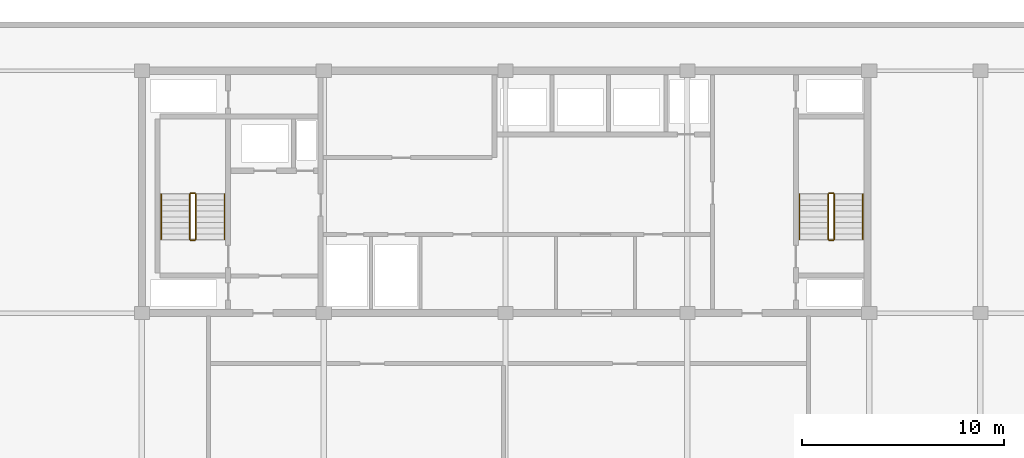
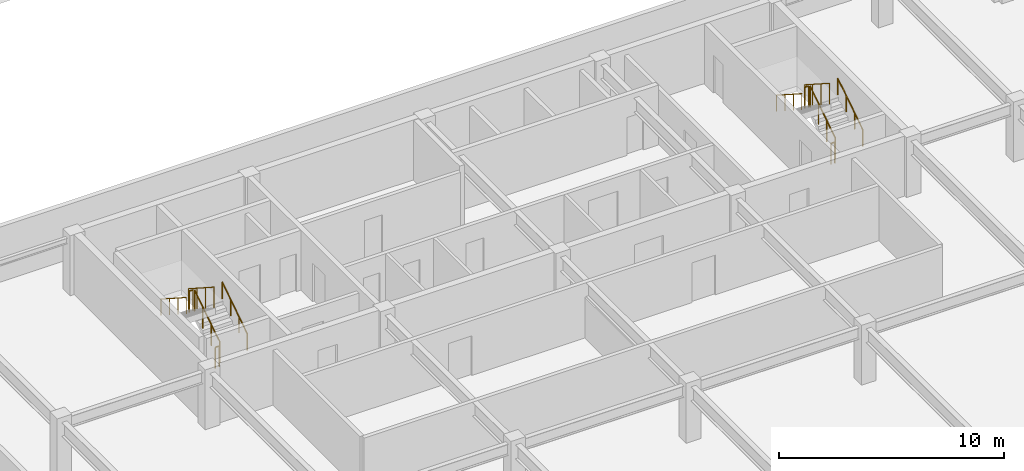
# One storey, part 15 of 17: 12 railings.
"""IFC4 building model written with IfcOpenShell, lengths in metres."""

from ifc_helpers import new_model, si_unit, direction, frame, origin, origin_2d, place, context, subcontext, project, spatial, circle, extrude, material, type_object, element, save


model = new_model("IFC4")

# Units and contexts
model_context = context("Model", 3, precision=1e-05, world=origin(), true_north=direction((0.0, 1.0)))
body_context = subcontext(model_context, "Body", "Model", "MODEL_VIEW")
ifc_project = project(units=[si_unit("LENGTHUNIT", "METRE"), si_unit("AREAUNIT", "SQUARE_METRE"), si_unit("VOLUMEUNIT", "CUBIC_METRE"), si_unit("PLANEANGLEUNIT", "RADIAN"), si_unit("MASSUNIT", "GRAM", prefix="KILO")], contexts=[model_context])

# Site, building, storey
site_placement = place(None, origin())
site = spatial("IfcSite", under=ifc_project, at=site_placement, CompositionType="ELEMENT")
building_placement = place(site_placement, origin())
building = spatial("IfcBuilding", under=site, at=building_placement, Name="Korimba Cascade Residences", CompositionType="ELEMENT")
storey_placement = place(building_placement, frame((0.0, 0.0, 204.35009765625)))
storey = spatial("IfcBuildingStorey", under=building, at=storey_placement, Name="L59", CompositionType="ELEMENT", Elevation=204.35009765625)

# Railings
ifc_material_1 = material(Name="Painted Steel Stairwell Guardrail", Category="steel")
railing_type_1 = type_object("IfcRailingType", Name="RLG-ST-GD1150", PredefinedType="GUARDRAIL", material=ifc_material_1)
railing_1_placement = place(storey_placement, frame((84.77001953125, 22.050048828125, 0.180419921875)))
element("IfcRailing", 1, at=railing_1_placement, inside=storey, type_object=railing_type_1, Name="L59 ST-E1 stair guard 1", PredefinedType="GUARDRAIL", context=body_context, shape_type="SweptSolid", body=[
    extrude(circle(Radius=0.02392578125, at=origin_2d()), frame((0.0, 0.0, 1.1259765625), z_axis=(0.0, 0.840394893359, 0.541974559565), x_axis=(-1.0, 0.0, 0.0)), (0.0, 0.0, 1.0), 2.665283203125),
    extrude(circle(Radius=0.02099609375, at=origin_2d()), origin(), (0.0, 0.0, 1.0), 1.101806640625),
    extrude(circle(Radius=0.02099609375, at=origin_2d()), frame((0.0, 0.74658203125, 0.4814453125)), (0.0, 0.0, 1.0), 1.101806640625),
    extrude(circle(Radius=0.02099609375, at=origin_2d()), frame((0.0, 1.493408203125, 0.963134765625)), (0.0, 0.0, 1.0), 1.101806640625),
    extrude(circle(Radius=0.02099609375, at=origin_2d()), frame((0.0, 2.239990234375, 1.444580078125)), (0.0, 0.0, 1.0), 1.101806640625),
])
railing_2_placement = place(storey_placement, frame((84.719970703125, 24.340087890625, 1.625)))
element("IfcRailing", 2, at=railing_2_placement, inside=storey, type_object=railing_type_1, Name="L59 ST-E1 stair guard 2", PredefinedType="GUARDRAIL", context=body_context, shape_type="SweptSolid", body=[
    extrude(circle(Radius=0.02392578125, at=origin_2d()), frame((0.0, 0.0, 1.1259765625), z_axis=(-1.0, 0.0, 0.0), x_axis=(0.0, -1.0, 0.0)), (0.0, 0.0, 1.0), 0.199951171875),
    extrude(circle(Radius=0.02099609375, at=origin_2d()), origin(), (0.0, 0.0, 1.0), 1.101806640625),
    extrude(circle(Radius=0.02099609375, at=origin_2d()), frame((-0.199951171875, 0.0, 0.0)), (0.0, 0.0, 1.0), 1.101806640625),
])
railing_3_placement = place(storey_placement, frame((84.469970703125, 24.2900390625, 1.805419921875)))
element("IfcRailing", 3, at=railing_3_placement, inside=storey, type_object=railing_type_1, Name="L59 ST-E1 stair guard 3", PredefinedType="GUARDRAIL", context=body_context, shape_type="SweptSolid", body=[
    extrude(circle(Radius=0.02392578125, at=origin_2d()), frame((0.0, 0.0, 1.1259765625), z_axis=(0.0, -0.840394893359, 0.541974559565), x_axis=(1.0, 0.0, 0.0)), (0.0, 0.0, 1.0), 2.665283203125),
    extrude(circle(Radius=0.02099609375, at=origin_2d()), origin(), (0.0, 0.0, 1.0), 1.101806640625),
    extrude(circle(Radius=0.02099609375, at=origin_2d()), frame((0.0, -0.74658203125, 0.4814453125)), (0.0, 0.0, 1.0), 1.101806640625),
    extrude(circle(Radius=0.02099609375, at=origin_2d()), frame((0.0, -1.493408203125, 0.963134765625)), (0.0, 0.0, 1.0), 1.101806640625),
    extrude(circle(Radius=0.02099609375, at=origin_2d()), frame((0.0, -2.239990234375, 1.444580078125)), (0.0, 0.0, 1.0), 1.101806640625),
])
railing_4_placement = place(storey_placement, frame((84.719970703125, 22.0, 0.0)))
element("IfcRailing", 4, at=railing_4_placement, inside=storey, type_object=railing_type_1, Name="L59 ST-E1 stair guard 4", PredefinedType="GUARDRAIL", context=body_context, shape_type="SweptSolid", body=[
    extrude(circle(Radius=0.02392578125, at=origin_2d()), frame((0.0, 0.0, 1.1259765625), z_axis=(-1.0, 0.0, 0.0), x_axis=(0.0, -1.0, 0.0)), (0.0, 0.0, 1.0), 0.199951171875),
    extrude(circle(Radius=0.02099609375, at=origin_2d()), origin(), (0.0, 0.0, 1.0), 1.101806640625),
    extrude(circle(Radius=0.02099609375, at=origin_2d()), frame((-0.199951171875, 0.0, 0.0)), (0.0, 0.0, 1.0), 1.101806640625),
])
railing_5_placement = place(storey_placement, frame((116.3701171875, 22.050048828125, 0.180419921875)))
element("IfcRailing", 5, at=railing_5_placement, inside=storey, type_object=railing_type_1, Name="L59 ST-E2 stair guard 1", PredefinedType="GUARDRAIL", context=body_context, shape_type="SweptSolid", body=[
    extrude(circle(Radius=0.02392578125, at=origin_2d()), frame((0.0, 0.0, 1.1259765625), z_axis=(0.0, 0.840394893359, 0.541974559565), x_axis=(-1.0, 0.0, 0.0)), (0.0, 0.0, 1.0), 2.665283203125),
    extrude(circle(Radius=0.02099609375, at=origin_2d()), origin(), (0.0, 0.0, 1.0), 1.101806640625),
    extrude(circle(Radius=0.02099609375, at=origin_2d()), frame((0.0, 0.74658203125, 0.4814453125)), (0.0, 0.0, 1.0), 1.101806640625),
    extrude(circle(Radius=0.02099609375, at=origin_2d()), frame((0.0, 1.493408203125, 0.963134765625)), (0.0, 0.0, 1.0), 1.101806640625),
    extrude(circle(Radius=0.02099609375, at=origin_2d()), frame((0.0, 2.239990234375, 1.444580078125)), (0.0, 0.0, 1.0), 1.101806640625),
])
railing_6_placement = place(storey_placement, frame((116.320068359375, 24.340087890625, 1.625)))
element("IfcRailing", 6, at=railing_6_placement, inside=storey, type_object=railing_type_1, Name="L59 ST-E2 stair guard 2", PredefinedType="GUARDRAIL", context=body_context, shape_type="SweptSolid", body=[
    extrude(circle(Radius=0.02392578125, at=origin_2d()), frame((0.0, 0.0, 1.1259765625), z_axis=(-1.0, 0.0, 0.0), x_axis=(0.0, -1.0, 0.0)), (0.0, 0.0, 1.0), 0.199951171875),
    extrude(circle(Radius=0.02099609375, at=origin_2d()), origin(), (0.0, 0.0, 1.0), 1.101806640625),
    extrude(circle(Radius=0.02099609375, at=origin_2d()), frame((-0.199951171875, 0.0, 0.0)), (0.0, 0.0, 1.0), 1.101806640625),
])
railing_7_placement = place(storey_placement, frame((116.070068359375, 24.2900390625, 1.805419921875)))
element("IfcRailing", 7, at=railing_7_placement, inside=storey, type_object=railing_type_1, Name="L59 ST-E2 stair guard 3", PredefinedType="GUARDRAIL", context=body_context, shape_type="SweptSolid", body=[
    extrude(circle(Radius=0.02392578125, at=origin_2d()), frame((0.0, 0.0, 1.1259765625), z_axis=(0.0, -0.840394893359, 0.541974559565), x_axis=(1.0, 0.0, 0.0)), (0.0, 0.0, 1.0), 2.665283203125),
    extrude(circle(Radius=0.02099609375, at=origin_2d()), origin(), (0.0, 0.0, 1.0), 1.101806640625),
    extrude(circle(Radius=0.02099609375, at=origin_2d()), frame((0.0, -0.74658203125, 0.4814453125)), (0.0, 0.0, 1.0), 1.101806640625),
    extrude(circle(Radius=0.02099609375, at=origin_2d()), frame((0.0, -1.493408203125, 0.963134765625)), (0.0, 0.0, 1.0), 1.101806640625),
    extrude(circle(Radius=0.02099609375, at=origin_2d()), frame((0.0, -2.239990234375, 1.444580078125)), (0.0, 0.0, 1.0), 1.101806640625),
])
railing_8_placement = place(storey_placement, frame((116.320068359375, 22.0, 0.0)))
element("IfcRailing", 8, at=railing_8_placement, inside=storey, type_object=railing_type_1, Name="L59 ST-E2 stair guard 4", PredefinedType="GUARDRAIL", context=body_context, shape_type="SweptSolid", body=[
    extrude(circle(Radius=0.02392578125, at=origin_2d()), frame((0.0, 0.0, 1.1259765625), z_axis=(-1.0, 0.0, 0.0), x_axis=(0.0, -1.0, 0.0)), (0.0, 0.0, 1.0), 0.199951171875),
    extrude(circle(Radius=0.02099609375, at=origin_2d()), origin(), (0.0, 0.0, 1.0), 1.101806640625),
    extrude(circle(Radius=0.02099609375, at=origin_2d()), frame((-0.199951171875, 0.0, 0.0)), (0.0, 0.0, 1.0), 1.101806640625),
])
ifc_material_2 = material(Name="Brushed Stainless Steel Handrail", Category="steel")
railing_type_2 = type_object("IfcRailingType", Name="RLG-ST-HR900", PredefinedType="HANDRAIL", material=ifc_material_2)
railing_9_placement = place(storey_placement, frame((86.18994140625, 22.050048828125, 0.36474609375)))
element("IfcRailing", 9, at=railing_9_placement, inside=storey, type_object=railing_type_2, Name="L59 ST-E1 stair handrail 1", PredefinedType="HANDRAIL", context=body_context, shape_type="SweptSolid", body=[
    extrude(circle(Radius=0.02392578125, at=origin_2d()), frame((0.0, 0.0, 0.8759765625), z_axis=(0.0, 0.840394893359, 0.541974559565), x_axis=(-1.0, 0.0, 0.0)), (0.0, 0.0, 1.0), 2.665283203125),
    extrude(circle(Radius=0.02099609375, at=origin_2d()), origin(), (0.0, 0.0, 1.0), 0.851806640625),
    extrude(circle(Radius=0.02099609375, at=origin_2d()), frame((0.0, 0.74658203125, 0.4814453125)), (0.0, 0.0, 1.0), 0.851806640625),
    extrude(circle(Radius=0.02099609375, at=origin_2d()), frame((0.0, 1.493408203125, 0.963134765625)), (0.0, 0.0, 1.0), 0.851806640625),
    extrude(circle(Radius=0.02099609375, at=origin_2d()), frame((0.0, 2.239990234375, 1.444580078125)), (0.0, 0.0, 1.0), 0.851806640625),
])
railing_10_placement = place(storey_placement, frame((83.050048828125, 24.2900390625, 1.98974609375)))
element("IfcRailing", 10, at=railing_10_placement, inside=storey, type_object=railing_type_2, Name="L59 ST-E1 stair handrail 2", PredefinedType="HANDRAIL", context=body_context, shape_type="SweptSolid", body=[
    extrude(circle(Radius=0.02392578125, at=origin_2d()), frame((0.0, 0.0, 0.8759765625), z_axis=(0.0, -0.840394893359, 0.541974559565), x_axis=(1.0, 0.0, 0.0)), (0.0, 0.0, 1.0), 2.665283203125),
    extrude(circle(Radius=0.02099609375, at=origin_2d()), origin(), (0.0, 0.0, 1.0), 0.851806640625),
    extrude(circle(Radius=0.02099609375, at=origin_2d()), frame((0.0, -0.74658203125, 0.4814453125)), (0.0, 0.0, 1.0), 0.851806640625),
    extrude(circle(Radius=0.02099609375, at=origin_2d()), frame((0.0, -1.493408203125, 0.963134765625)), (0.0, 0.0, 1.0), 0.851806640625),
    extrude(circle(Radius=0.02099609375, at=origin_2d()), frame((0.0, -2.239990234375, 1.444580078125)), (0.0, 0.0, 1.0), 0.851806640625),
])
railing_11_placement = place(storey_placement, frame((117.7900390625, 22.050048828125, 0.36474609375)))
element("IfcRailing", 11, at=railing_11_placement, inside=storey, type_object=railing_type_2, Name="L59 ST-E2 stair handrail 1", PredefinedType="HANDRAIL", context=body_context, shape_type="SweptSolid", body=[
    extrude(circle(Radius=0.02392578125, at=origin_2d()), frame((0.0, 0.0, 0.8759765625), z_axis=(0.0, 0.840394893359, 0.541974559565), x_axis=(-1.0, 0.0, 0.0)), (0.0, 0.0, 1.0), 2.665283203125),
    extrude(circle(Radius=0.02099609375, at=origin_2d()), origin(), (0.0, 0.0, 1.0), 0.851806640625),
    extrude(circle(Radius=0.02099609375, at=origin_2d()), frame((0.0, 0.74658203125, 0.4814453125)), (0.0, 0.0, 1.0), 0.851806640625),
    extrude(circle(Radius=0.02099609375, at=origin_2d()), frame((0.0, 1.493408203125, 0.963134765625)), (0.0, 0.0, 1.0), 0.851806640625),
    extrude(circle(Radius=0.02099609375, at=origin_2d()), frame((0.0, 2.239990234375, 1.444580078125)), (0.0, 0.0, 1.0), 0.851806640625),
])
railing_12_placement = place(storey_placement, frame((114.64990234375, 24.2900390625, 1.98974609375)))
element("IfcRailing", 12, at=railing_12_placement, inside=storey, type_object=railing_type_2, Name="L59 ST-E2 stair handrail 2", PredefinedType="HANDRAIL", context=body_context, shape_type="SweptSolid", body=[
    extrude(circle(Radius=0.02392578125, at=origin_2d()), frame((0.0, 0.0, 0.8759765625), z_axis=(0.0, -0.840394893359, 0.541974559565), x_axis=(1.0, 0.0, 0.0)), (0.0, 0.0, 1.0), 2.665283203125),
    extrude(circle(Radius=0.02099609375, at=origin_2d()), origin(), (0.0, 0.0, 1.0), 0.851806640625),
    extrude(circle(Radius=0.02099609375, at=origin_2d()), frame((0.0, -0.74658203125, 0.4814453125)), (0.0, 0.0, 1.0), 0.851806640625),
    extrude(circle(Radius=0.02099609375, at=origin_2d()), frame((0.0, -1.493408203125, 0.963134765625)), (0.0, 0.0, 1.0), 0.851806640625),
    extrude(circle(Radius=0.02099609375, at=origin_2d()), frame((0.0, -2.239990234375, 1.444580078125)), (0.0, 0.0, 1.0), 0.851806640625),
])

save(model, "model.ifc")
